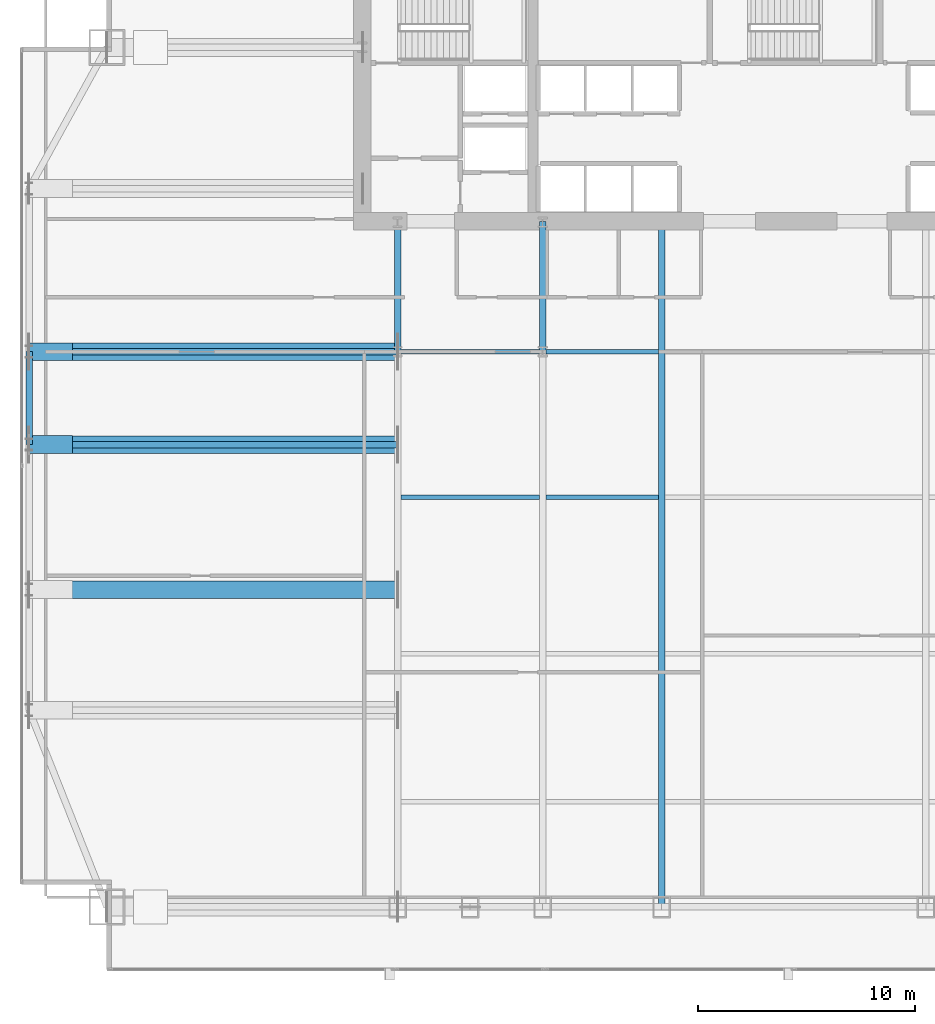
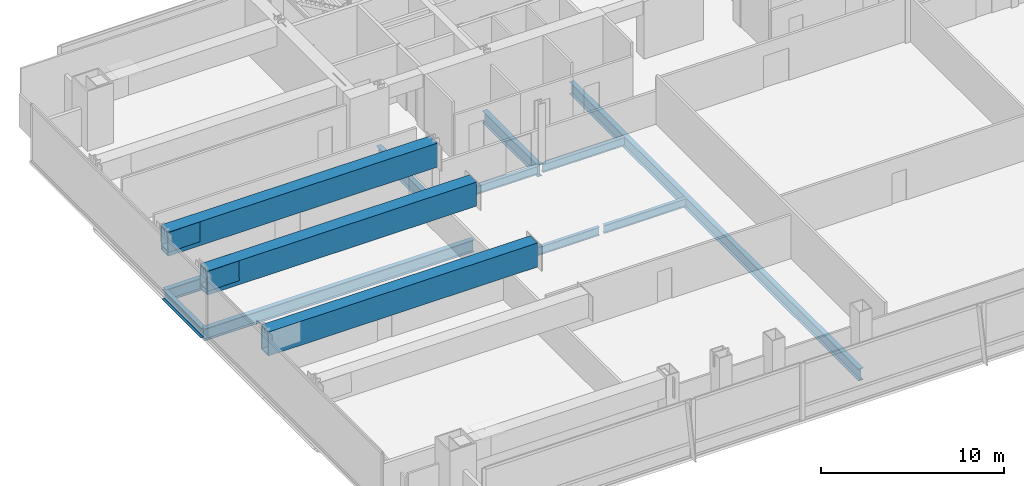
# One storey, part 10 of 32: 15 beams.
"""IFC4 building model written with IfcOpenShell, lengths in metres."""

from ifc_helpers import new_model, si_unit, direction, frame, origin, origin_2d, place, context, subcontext, project, spatial, hollow_rectangle, i_section, extrude, material, material_profile, profile_set, type_object, element, save


model = new_model("IFC4")

# Units and contexts
model_context = context("Model", 3, precision=1e-05, world=origin(), true_north=direction((0.0, 1.0)))
body_context = subcontext(model_context, "Body", "Model", "MODEL_VIEW")
ifc_project = project(units=[si_unit("LENGTHUNIT", "METRE"), si_unit("AREAUNIT", "SQUARE_METRE"), si_unit("VOLUMEUNIT", "CUBIC_METRE"), si_unit("PLANEANGLEUNIT", "RADIAN"), si_unit("MASSUNIT", "GRAM", prefix="KILO")], contexts=[model_context])

# Site, building, storey
site_placement = place(None, origin())
site = spatial("IfcSite", under=ifc_project, at=site_placement, CompositionType="ELEMENT")
building_placement = place(site_placement, origin())
building = spatial("IfcBuilding", under=site, at=building_placement, Name="Khoronbel Lancet Exchange", CompositionType="ELEMENT")
storey_placement = place(building_placement, frame((0.0, 0.0, 77.800048828125)))
storey = spatial("IfcBuildingStorey", under=building, at=storey_placement, Name="L18", CompositionType="ELEMENT", Elevation=77.800048828125)

# Beams
ifc_material_1 = material(Name="Steel S355", Category="steel")
ifc_material_profile_1 = material_profile(ifc_material_1, i_section(OverallWidth=0.300048828125, OverallDepth=0.800048828125, WebThickness=0.017578125, FlangeThickness=0.032958984375, at=origin_2d()), Name="HEB 800")
ifc_profile_set_1 = profile_set([ifc_material_profile_1], Name="Steel S355")
beam_type_1 = type_object("IfcBeamType", Name="BM-BG2", PredefinedType="BEAM", material=ifc_profile_set_1)
for number, where, z_axis, x_axis, name in (
    (1, (18.22509765625, 35.699951171875, -0.580078125), (0.0, 1.0, 0.0), (-1.0, 0.0, 0.0), "Level L18 spine tie girder GN1"),
    (2, (24.89990234375, 35.699951171875, -0.580078125), (0.0, 1.0, 0.0), (-1.0, 0.0, 0.0), "Level L18 spine tie girder GN2"),
):
    element("IfcBeam", number, at=place(storey_placement, frame(where, z_axis=z_axis, x_axis=x_axis)), inside=storey, type_object=beam_type_1, Name=name, PredefinedType="BEAM", context=body_context, shape_type="SweptSolid", body=[
        extrude(i_section(OverallWidth=0.300048828125, OverallDepth=0.800048828125, WebThickness=0.017578125, FlangeThickness=0.032958984375, at=origin_2d()), origin(), (0.0, 0.0, 1.0), 6.0),
    ])
beam_1_placement = place(storey_placement, frame((30.375, 10.14990234375, -0.580078125), z_axis=(0.0, 1.0, 0.0), x_axis=(-1.0, 0.0, 0.0)))
element("IfcBeam", 3, at=beam_1_placement, inside=storey, type_object=beam_type_1, Name="Level L18 primary floor girder G3", PredefinedType="BEAM", context=body_context, shape_type="SweptSolid", body=[
    extrude(i_section(OverallWidth=0.300048828125, OverallDepth=0.800048828125, WebThickness=0.017578125, FlangeThickness=0.032958984375, at=origin_2d()), origin(), (0.0, 0.0, 1.0), 31.550048828125),
])
for number, where, z_axis, x_axis, name in (
    (4, (1.27001953125, 31.425048828125, -0.580078125), (1.0, 0.0, 0.0), (0.0, 1.0, 0.0), "Level L18 west lens tie girder LG2W"),
    (5, (1.27001953125, 35.699951171875, -0.580078125), (1.0, 0.0, 0.0), (0.0, 1.0, 0.0), "Level L18 west lens tie girder LG4W"),
):
    element("IfcBeam", number, at=place(storey_placement, frame(where, z_axis=z_axis, x_axis=x_axis)), inside=storey, type_object=beam_type_1, Name=name, PredefinedType="BEAM", context=body_context, shape_type="SweptSolid", body=[
        extrude(i_section(OverallWidth=0.300048828125, OverallDepth=0.800048828125, WebThickness=0.017578125, FlangeThickness=0.032958984375, at=origin_2d()), origin(), (0.0, 0.0, 1.0), 16.955078125),
    ])
ifc_material_profile_2 = material_profile(ifc_material_1, i_section(OverallWidth=0.2099609375, OverallDepth=0.550048828125, WebThickness=0.010986328125, FlangeThickness=0.01708984375, at=origin_2d()), Name="IPE 550")
ifc_profile_set_2 = profile_set([ifc_material_profile_2], Name="Steel S355")
beam_type_2 = type_object("IfcBeamType", Name="BM-BJ2", PredefinedType="JOIST", material=ifc_profile_set_2)
beam_2_placement = place(storey_placement, frame((18.375, 29.0, -0.455078125), z_axis=(1.0, 0.0, 0.0), x_axis=(0.0, 1.0, 0.0)))
element("IfcBeam", 6, at=beam_2_placement, inside=storey, type_object=beam_type_2, Name="Level L18 secondary composite joist J11", PredefinedType="JOIST", context=body_context, shape_type="SweptSolid", body=[
    extrude(i_section(OverallWidth=0.2099609375, OverallDepth=0.550048828125, WebThickness=0.010986328125, FlangeThickness=0.01708984375, at=origin_2d()), origin(), (0.0, 0.0, 1.0), 6.375),
])
beam_3_placement = place(storey_placement, frame((25.050048828125, 29.0, -0.455078125), z_axis=(1.0, 0.0, 0.0), x_axis=(0.0, 1.0, 0.0)))
element("IfcBeam", 7, at=beam_3_placement, inside=storey, type_object=beam_type_2, Name="Level L18 secondary composite joist J12", PredefinedType="JOIST", context=body_context, shape_type="SweptSolid", body=[
    extrude(i_section(OverallWidth=0.2099609375, OverallDepth=0.550048828125, WebThickness=0.010986328125, FlangeThickness=0.01708984375, at=origin_2d()), origin(), (0.0, 0.0, 1.0), 5.175048828125),
])
beam_4_placement = place(storey_placement, frame((18.375, 35.699951171875, -0.455078125), z_axis=(1.0, 0.0, 0.0), x_axis=(0.0, 1.0, 0.0)))
element("IfcBeam", 8, at=beam_4_placement, inside=storey, type_object=beam_type_2, Name="Level L18 secondary composite joist J16", PredefinedType="JOIST", context=body_context, shape_type="SweptSolid", body=[
    extrude(i_section(OverallWidth=0.2099609375, OverallDepth=0.550048828125, WebThickness=0.010986328125, FlangeThickness=0.01708984375, at=origin_2d()), origin(), (0.0, 0.0, 1.0), 6.375),
])
beam_5_placement = place(storey_placement, frame((25.050048828125, 35.699951171875, -0.455078125), z_axis=(1.0, 0.0, 0.0), x_axis=(0.0, 1.0, 0.0)))
element("IfcBeam", 9, at=beam_5_placement, inside=storey, type_object=beam_type_2, Name="Level L18 secondary composite joist J17", PredefinedType="JOIST", context=body_context, shape_type="SweptSolid", body=[
    extrude(i_section(OverallWidth=0.2099609375, OverallDepth=0.550048828125, WebThickness=0.010986328125, FlangeThickness=0.01708984375, at=origin_2d()), origin(), (0.0, 0.0, 1.0), 5.175048828125),
])
ifc_material_profile_3 = material_profile(ifc_material_1, i_section(OverallWidth=0.300048828125, OverallDepth=0.64990234375, WebThickness=0.01611328125, FlangeThickness=0.031005859375, at=origin_2d()), Name="HEB 650")
ifc_profile_set_3 = profile_set([ifc_material_profile_3], Name="Steel S355")
beam_type_3 = type_object("IfcBeamType", Name="BM-BSP1", PredefinedType="SPANDREL", material=ifc_profile_set_3)
beam_6_placement = place(storey_placement, frame((1.27001953125, 35.699951171875, -0.505126953125), z_axis=(0.0, -1.0, 0.0), x_axis=(1.0, 0.0, 0.0)))
element("IfcBeam", 10, at=beam_6_placement, inside=storey, type_object=beam_type_3, Name="Level L18 perimeter spandrel beam SP18", PredefinedType="SPANDREL", context=body_context, shape_type="SweptSolid", body=[
    extrude(i_section(OverallWidth=0.300048828125, OverallDepth=0.64990234375, WebThickness=0.01611328125, FlangeThickness=0.031005859375, at=origin_2d()), origin(), (0.0, 0.0, 1.0), 4.27490234375),
])
ifc_material_2 = material(Name="Steel S460", Category="steel")
ifc_material_profile_4 = material_profile(ifc_material_2, hollow_rectangle(XDim=0.800048828125, YDim=1.60009765625, WallThickness=0.06494140625, at=origin_2d()), Name="BOX 800x1600x65")
ifc_profile_set_4 = profile_set([ifc_material_profile_4], Name="Steel S460")
beam_type_4 = type_object("IfcBeamType", Name="BM-TG2", PredefinedType="USERDEFINED", material=ifc_profile_set_4)
for number, where, z_axis, x_axis, name in (
    (11, (1.27001953125, 24.75, 3.02001953125), (1.0, 0.0, 0.0), (0.0, 1.0, 0.0), "Lens setback S460 transfer girder L18-W2"),
    (12, (1.27001953125, 31.425048828125, 3.02001953125), (1.0, 0.0, 0.0), (0.0, 1.0, 0.0), "Lens setback S460 transfer girder L18-W3"),
    (13, (1.27001953125, 35.699951171875, 3.02001953125), (1.0, 0.0, 0.0), (0.0, 1.0, 0.0), "Lens setback S460 transfer girder L18-W4"),
):
    element("IfcBeam", number, at=place(storey_placement, frame(where, z_axis=z_axis, x_axis=x_axis)), inside=storey, type_object=beam_type_4, Name=name, ObjectType="TRANSFER GIRDER", PredefinedType="USERDEFINED", context=body_context, shape_type="SweptSolid", body=[
        extrude(hollow_rectangle(XDim=0.800048828125, YDim=1.60009765625, WallThickness=0.06494140625, at=origin_2d()), origin(), (0.0, 0.0, 1.0), 16.955078125),
    ])
ifc_material_profile_5 = material_profile(ifc_material_2, hollow_rectangle(XDim=0.820068359375, YDim=1.320068359375, WallThickness=0.070068359375, at=origin_2d()), Name="BOX 820x1320x70")
ifc_profile_set_5 = profile_set([ifc_material_profile_5], Name="Steel S460")
beam_type_5 = type_object("IfcBeamType", Name="BM-TG4", PredefinedType="USERDEFINED", material=ifc_profile_set_5)
for number, where, z_axis, x_axis, name in (
    (14, (1.27001953125, 31.425048828125, 3.139892578125), (0.99994990606, 0.0, 0.010009264196), (0.0, 1.0, 0.0), "Setback transfer knee-brace girder L18-WC-M"),
    (15, (1.27001953125, 35.699951171875, 3.139892578125), (0.99994990606, 0.0, 0.010009264196), (0.0, 1.0, 0.0), "Setback transfer knee-brace girder L18-WC-3"),
):
    element("IfcBeam", number, at=place(storey_placement, frame(where, z_axis=z_axis, x_axis=x_axis)), inside=storey, type_object=beam_type_5, Name=name, ObjectType="TRANSFER GIRDER", PredefinedType="USERDEFINED", context=body_context, shape_type="SweptSolid", body=[
        extrude(hollow_rectangle(XDim=0.820068359375, YDim=1.320068359375, WallThickness=0.070068359375, at=origin_2d()), origin(), (0.0, 0.0, 1.0), 2.0),
    ])

save(model, "model.ifc")
